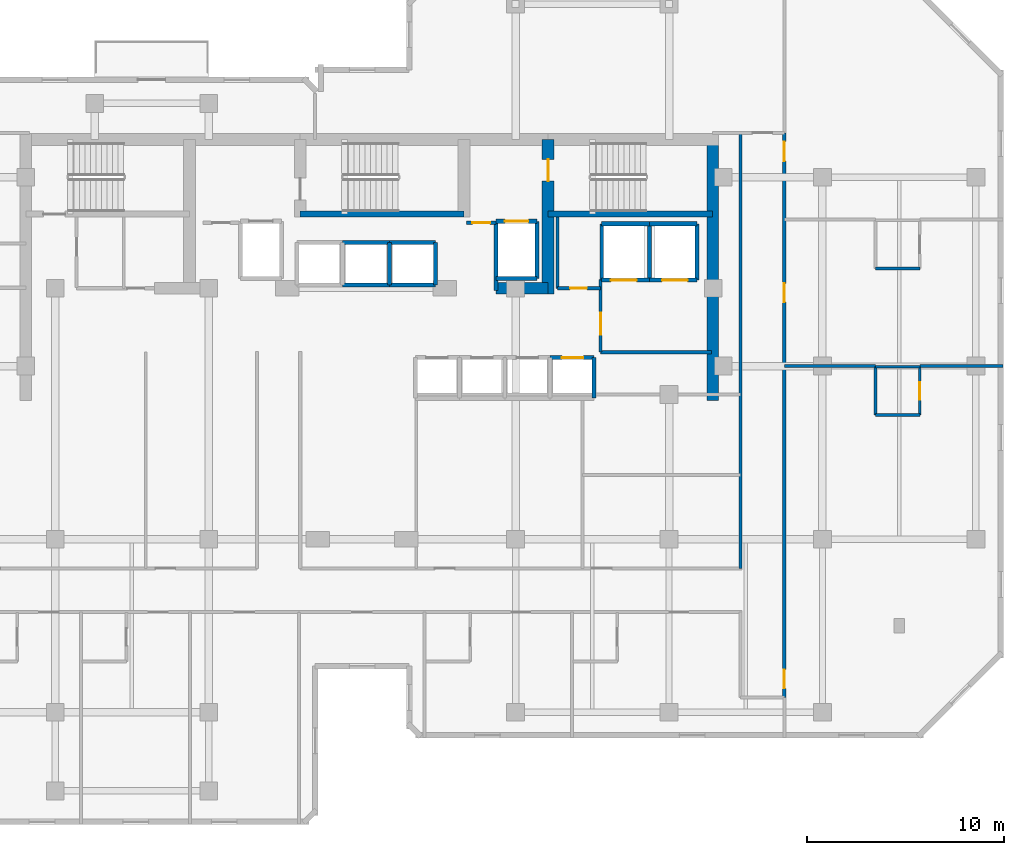
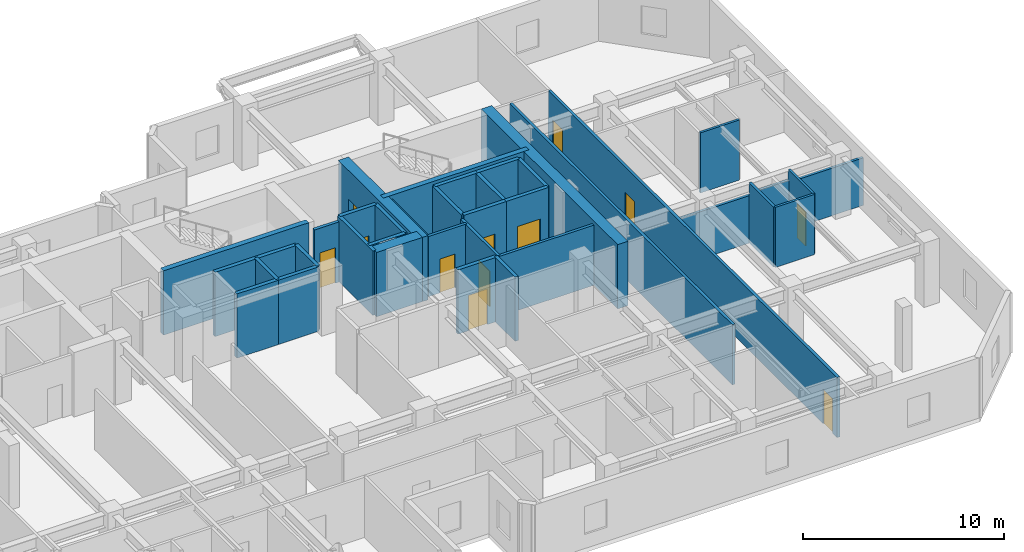
# One storey, part 7 of 10: 38 walls, 12 doors, 12 openings.
"""IFC4 building model written with IfcOpenShell, lengths in metres."""

from ifc_helpers import new_model, si_unit, direction, frame, frame_2d, origin, place, context, subcontext, project, spatial, rectangle, extrude, material, layer, layer_set, type_object, element, fill, save


model = new_model("IFC4")

# Units and contexts
model_context = context("Model", 3, precision=1e-05, world=origin(), true_north=direction((0.0, 1.0)))
body_context = subcontext(model_context, "Body", "Model", "MODEL_VIEW")
ifc_project = project(units=[si_unit("LENGTHUNIT", "METRE"), si_unit("AREAUNIT", "SQUARE_METRE"), si_unit("VOLUMEUNIT", "CUBIC_METRE"), si_unit("PLANEANGLEUNIT", "RADIAN"), si_unit("MASSUNIT", "GRAM", prefix="KILO")], contexts=[model_context])

# Site, building, storey
site_placement = place(None, origin())
site = spatial("IfcSite", under=ifc_project, at=site_placement, CompositionType="ELEMENT")
building_placement = place(site_placement, origin())
building = spatial("IfcBuilding", under=site, at=building_placement, Name="Kestravale Grand Hotel", CompositionType="ELEMENT")
storey_placement = place(building_placement, frame((0.0, 0.0, 216.300048828125)))
storey = spatial("IfcBuildingStorey", under=building, at=storey_placement, Name="L54", CompositionType="ELEMENT", Elevation=216.300048828125)

# Walls
ifc_material_1 = material(Name="Concrete f'c 50 MPa", Category="concrete")
ifc_layer_1 = layer(ifc_material_1, 0.60009765625)
ifc_layer_set_1 = layer_set([ifc_layer_1], Name="EW-CORE-600")
wall_type_1 = type_object("IfcWallType", Name="EW-CORE-600", PredefinedType="SHEAR", material=ifc_layer_set_1)
wall_1_placement = place(storey_placement, frame((56.820068359375, 27.050048828125, 0.0), z_axis=(0.0, 0.0, 1.0), x_axis=(0.0, 1.0, 0.0)))
element("IfcWall", 1, at=wall_1_placement, inside=storey, type_object=wall_type_1, Name="L54 core shear wall E1", PredefinedType="SHEAR", context=body_context, shape_type="SweptSolid", body=[
    extrude(rectangle(XDim=13.570068359375, YDim=0.60009765625, at=frame_2d((6.78515625, 0.0))), origin(), (0.0, 0.0, 1.0), 3.89990234375),
])
wall_2_placement = place(storey_placement, frame((45.81005859375, 32.75, 0.0), z_axis=(0.0, 0.0, 1.0), x_axis=(1.0, 0.0, 0.0)))
element("IfcWall", 2, at=wall_2_placement, inside=storey, type_object=wall_type_1, Name="L54 core shear wall S2", PredefinedType="SHEAR", context=body_context, shape_type="SweptSolid", body=[
    extrude(rectangle(XDim=2.639892578125, YDim=0.60009765625, at=frame_2d((1.31982421875, 0.0))), origin(), (0.0, 0.0, 1.0), 3.89990234375),
])

# Wall, opening, door
wall_3_placement = place(storey_placement, frame((48.449951171875, 32.449951171875, 0.0), z_axis=(0.0, 0.0, 1.0), x_axis=(0.0, 1.0, 0.0)))
wall_3 = element("IfcWall", 3, at=wall_3_placement, inside=storey, type_object=wall_type_1, Name="L54 core shear wall X4", PredefinedType="SHEAR", context=body_context, shape_type="SweptSolid", body=[
    extrude(rectangle(XDim=7.8701171875, YDim=0.60009765625, at=frame_2d((3.93505859375, 0.0))), origin(), (0.0, 0.0, 1.0), 3.89990234375),
])
opening_1_placement = place(wall_3_placement, frame((5.75, 0.0, 0.0)))
opening_1 = element("IfcOpeningElement", 4, at=opening_1_placement, cuts=wall_3, Name="Opening D-ST-1100", PredefinedType="OPENING", context=body_context, shape_type="SweptSolid", body=[
    extrude(rectangle(XDim=1.10009765625, YDim=2.14990234375, at=frame_2d((0.550048828125, 1.074951171875))), frame((0.0, 0.31005859375, 0.0), z_axis=(0.0, -1.0, 0.0), x_axis=(1.0, 0.0, 0.0)), (0.0, 0.0, 1.0), 0.6201171875),
])
ifc_material_2 = material(Name="Galvanised 90-minute fire-rated steel stair door", Category="steel")
door_type_1 = type_object("IfcDoorType", Name="D-ST-1100", OperationType="NOTDEFINED", PredefinedType="DOOR", material=ifc_material_2)
door_1_placement = place(opening_1_placement, origin())
door_1 = element("IfcDoor", 5, at=door_1_placement, inside=storey, type_object=door_type_1, Name="L54 Stair ST-3 FSAE fire door", OperationType="SINGLE_SWING_RIGHT", OverallHeight=2.14990234375, OverallWidth=1.10009765625, PredefinedType="DOOR", context=body_context, shape_type="SweptSolid", body=[
    extrude(rectangle(XDim=1.10009765625, YDim=2.14990234375, at=frame_2d((0.550048828125, 1.074951171875))), frame((0.0, 0.02490234375, 0.0), z_axis=(0.0, -1.0, 0.0), x_axis=(1.0, 0.0, 0.0)), (0.0, 0.0, 1.0), 0.050048828125),
])
fill(opening_1, door_1)

# Walls
ifc_material_3 = material(Name="Concrete f'c 45 MPa", Category="concrete")
ifc_layer_2 = layer(ifc_material_3, 0.300048828125)
ifc_layer_set_2 = layer_set([ifc_layer_2], Name="EW-STAIR-300")
wall_type_2 = type_object("IfcWallType", Name="EW-STAIR-300", PredefinedType="SHEAR", material=ifc_layer_set_2)
wall_4_placement = place(storey_placement, frame((35.85009765625, 36.52001953125, 0.0), z_axis=(0.0, 0.0, 1.0), x_axis=(1.0, 0.0, 0.0)))
element("IfcWall", 6, at=wall_4_placement, inside=storey, type_object=wall_type_2, Name="L54 stair enclosure shear wall SST2", PredefinedType="SHEAR", context=body_context, shape_type="SweptSolid", body=[
    extrude(rectangle(XDim=8.329833984375, YDim=0.300048828125, at=frame_2d((4.1650390625, 0.0))), origin(), (0.0, 0.0, 1.0), 3.89990234375),
])
wall_5_placement = place(storey_placement, frame((48.449951171875, 36.52001953125, 0.0), z_axis=(0.0, 0.0, 1.0), x_axis=(1.0, 0.0, 0.0)))
element("IfcWall", 7, at=wall_5_placement, inside=storey, type_object=wall_type_2, Name="L54 stair enclosure shear wall SST3", PredefinedType="SHEAR", context=body_context, shape_type="SweptSolid", body=[
    extrude(rectangle(XDim=8.3701171875, YDim=0.300048828125, at=frame_2d((4.18505859375, 0.0))), origin(), (0.0, 0.0, 1.0), 3.89990234375),
])

# Wall, opening, door
ifc_material_4 = material(Name="Acoustic fire-rated gypsum board partition", Category="other")
ifc_layer_3 = layer(ifc_material_4, 0.159912109375)
ifc_layer_set_3 = layer_set([ifc_layer_3], Name="IW-CORR-160")
wall_type_3 = type_object("IfcWallType", Name="IW-CORR-160", PredefinedType="PARTITIONING", material=ifc_layer_set_3)
wall_6_placement = place(storey_placement, frame((51.1201171875, 29.5, 0.0), z_axis=(0.0, 0.0, 1.0), x_axis=(0.0, 1.0, 0.0)))
wall_6 = element("IfcWall", 8, at=wall_6_placement, inside=storey, type_object=wall_type_3, Name="W-L54-SVCLOB-W", PredefinedType="PARTITIONING", context=body_context, shape_type="SweptSolid", body=[
    extrude(rectangle(XDim=3.699951171875, YDim=0.159912109375, at=frame_2d((1.85009765625, 0.0))), origin(), (0.0, 0.0, 1.0), 3.64990234375),
])
opening_2_placement = place(wall_6_placement, frame((0.89990234375, 0.0, 0.0)))
opening_2 = element("IfcOpeningElement", 9, at=opening_2_placement, cuts=wall_6, Name="Opening D-CORR-1100", PredefinedType="OPENING", context=body_context, shape_type="SweptSolid", body=[
    extrude(rectangle(XDim=1.10009765625, YDim=2.14990234375, at=frame_2d((0.550048828125, 1.074951171875))), frame((0.0, 0.08984375, 0.0), z_axis=(0.0, -1.0, 0.0), x_axis=(1.0, 0.0, 0.0)), (0.0, 0.0, 1.0), 0.179931640625),
])
ifc_material_5 = material(Name="Single-leaf service vestibule fire door", Category="steel")
door_type_2 = type_object("IfcDoorType", Name="D-CORR-1100", OperationType="NOTDEFINED", PredefinedType="DOOR", material=ifc_material_5)
door_2_placement = place(opening_2_placement, origin())
door_2 = element("IfcDoor", 10, at=door_2_placement, inside=storey, type_object=door_type_2, Name="L54 service lift lobby door", OperationType="SINGLE_SWING_LEFT", OverallHeight=2.14990234375, OverallWidth=1.10009765625, PredefinedType="DOOR", context=body_context, shape_type="SweptSolid", body=[
    extrude(rectangle(XDim=1.10009765625, YDim=2.14990234375, at=frame_2d((0.550048828125, 1.074951171875))), frame((0.0, 0.02490234375, 0.0), z_axis=(0.0, -1.0, 0.0), x_axis=(1.0, 0.0, 0.0)), (0.0, 0.0, 1.0), 0.050048828125),
])
fill(opening_2, door_2)

# Wall
wall_7_placement = place(storey_placement, frame((51.1201171875, 29.5, 0.0), z_axis=(0.0, 0.0, 1.0), x_axis=(1.0, 0.0, 0.0)))
element("IfcWall", 11, at=wall_7_placement, inside=storey, type_object=wall_type_3, Name="L54 service lift lobby wall", PredefinedType="PARTITIONING", context=body_context, shape_type="SweptSolid", body=[
    extrude(rectangle(XDim=5.6298828125, YDim=0.159912109375, at=frame_2d((2.81494140625, 0.0))), origin(), (0.0, 0.0, 1.0), 3.64990234375),
])

# Wall, opening, door
wall_8_placement = place(storey_placement, frame((48.919921875, 32.75, 0.0), z_axis=(0.0, 0.0, 1.0), x_axis=(1.0, 0.0, 0.0)))
wall_8 = element("IfcWall", 12, at=wall_8_placement, inside=storey, type_object=wall_type_3, Name="W-L54-CES", PredefinedType="PARTITIONING", context=body_context, shape_type="SweptSolid", body=[
    extrude(rectangle(XDim=2.2001953125, YDim=0.159912109375, at=frame_2d((1.10009765625, 0.0))), origin(), (0.0, 0.0, 1.0), 3.64990234375),
])
opening_3_placement = place(wall_8_placement, frame((0.64990234375, 0.0, 0.0)))
opening_3 = element("IfcOpeningElement", 13, at=opening_3_placement, cuts=wall_8, Name="Opening D-SH-860", PredefinedType="OPENING", context=body_context, shape_type="SweptSolid", body=[
    extrude(rectangle(XDim=0.860107421875, YDim=2.050048828125, at=frame_2d((0.43017578125, 1.02490234375))), frame((0.0, 0.08984375, 0.0), z_axis=(0.0, -1.0, 0.0), x_axis=(1.0, 0.0, 0.0)), (0.0, 0.0, 1.0), 0.179931640625),
])
ifc_material_6 = material(Name="Galvanised 90-minute riser fire door", Category="steel")
door_type_3 = type_object("IfcDoorType", Name="D-SH-860", OperationType="NOTDEFINED", PredefinedType="DOOR", material=ifc_material_6)
door_3_placement = place(opening_3_placement, origin())
door_3 = element("IfcDoor", 14, at=door_3_placement, inside=storey, type_object=door_type_3, Name="L54 CSTO1 door", OperationType="SINGLE_SWING_RIGHT", OverallHeight=2.050048828125, OverallWidth=0.860107421875, PredefinedType="DOOR", context=body_context, shape_type="SweptSolid", body=[
    extrude(rectangle(XDim=0.860107421875, YDim=2.050048828125, at=frame_2d((0.43017578125, 1.02490234375))), frame((0.0, 0.02490234375, 0.0), z_axis=(0.0, -1.0, 0.0), x_axis=(1.0, 0.0, 0.0)), (0.0, 0.0, 1.0), 0.050048828125),
])
fill(opening_3, door_3)

# Wall, openings, doors
wall_9_placement = place(storey_placement, frame((60.4599609375, 11.949951171875, 0.0), z_axis=(0.0, 0.0, 1.0), x_axis=(0.0, 1.0, 0.0)))
wall_9 = element("IfcWall", 15, at=wall_9_placement, inside=storey, type_object=wall_type_3, Name="W-L54-SE-E", PredefinedType="PARTITIONING", context=body_context, shape_type="SweptSolid", body=[
    extrude(rectangle(XDim=28.699951171875, YDim=0.159912109375, at=frame_2d((14.35009765625, 0.0))), origin(), (0.0, 0.0, 1.0), 3.64990234375),
])
opening_4_placement = place(wall_9_placement, frame((0.4599609375, 0.0, 0.0)))
opening_4 = element("IfcOpeningElement", 16, at=opening_4_placement, cuts=wall_9, Name="Opening D-GUEST-950", PredefinedType="OPENING", context=body_context, shape_type="SweptSolid", body=[
    extrude(rectangle(XDim=0.949951171875, YDim=2.10009765625, at=frame_2d((0.47509765625, 1.050048828125))), frame((0.0, 0.08984375, 0.0), z_axis=(0.0, -1.0, 0.0), x_axis=(1.0, 0.0, 0.0)), (0.0, 0.0, 1.0), 0.179931640625),
])
opening_5_placement = place(wall_9_placement, frame((20.10009765625, 0.0, 0.0)))
opening_5 = element("IfcOpeningElement", 17, at=opening_5_placement, cuts=wall_9, Name="Opening D-GUEST-950", PredefinedType="OPENING", context=body_context, shape_type="SweptSolid", body=[
    extrude(rectangle(XDim=0.949951171875, YDim=2.10009765625, at=frame_2d((0.47509765625, 1.050048828125))), frame((0.0, 0.08984375, 0.0), z_axis=(0.0, -1.0, 0.0), x_axis=(1.0, 0.0, 0.0)), (0.0, 0.0, 1.0), 0.179931640625),
])
opening_6_placement = place(wall_9_placement, frame((27.260009765625, 0.0, 0.0)))
opening_6 = element("IfcOpeningElement", 18, at=opening_6_placement, cuts=wall_9, Name="Opening D-GUEST-1000", PredefinedType="OPENING", context=body_context, shape_type="SweptSolid", body=[
    extrude(rectangle(XDim=1.0, YDim=2.14990234375, at=frame_2d((0.5, 1.074951171875))), frame((0.0, 0.08984375, 0.0), z_axis=(0.0, -1.0, 0.0), x_axis=(1.0, 0.0, 0.0)), (0.0, 0.0, 1.0), 0.179931640625),
])
ifc_material_7 = material(Name="Accessible walnut veneer hotel entrance fire door", Category="wood")
door_type_4 = type_object("IfcDoorType", Name="D-GUEST-1000", OperationType="NOTDEFINED", PredefinedType="DOOR", material=ifc_material_7)
door_4_placement = place(opening_6_placement, origin())
door_4 = element("IfcDoor", 19, at=door_4_placement, inside=storey, type_object=door_type_4, Name="D-L54-AMEW", OperationType="SINGLE_SWING_RIGHT", OverallHeight=2.14990234375, OverallWidth=1.0, PredefinedType="DOOR", context=body_context, shape_type="SweptSolid", body=[
    extrude(rectangle(XDim=1.0, YDim=2.14990234375, at=frame_2d((0.5, 1.074951171875))), frame((0.0, 0.02490234375, 0.0), z_axis=(0.0, -1.0, 0.0), x_axis=(1.0, 0.0, 0.0)), (0.0, 0.0, 1.0), 0.050048828125),
])
fill(opening_6, door_4)
ifc_material_8 = material(Name="Walnut veneer hotel guestroom entrance fire door", Category="wood")
door_type_5 = type_object("IfcDoorType", Name="D-GUEST-950", OperationType="NOTDEFINED", PredefinedType="DOOR", material=ifc_material_8)
door_5_placement = place(opening_4_placement, origin())
door_5 = element("IfcDoor", 20, at=door_5_placement, inside=storey, type_object=door_type_5, Name="D-L54-U09-ENT", OperationType="SINGLE_SWING_LEFT", OverallHeight=2.10009765625, OverallWidth=0.949951171875, PredefinedType="DOOR", context=body_context, shape_type="SweptSolid", body=[
    extrude(rectangle(XDim=0.949951171875, YDim=2.10009765625, at=frame_2d((0.47509765625, 1.050048828125))), frame((0.0, 0.02490234375, 0.0), z_axis=(0.0, -1.0, 0.0), x_axis=(1.0, 0.0, 0.0)), (0.0, 0.0, 1.0), 0.050048828125),
])
fill(opening_4, door_5)
door_6_placement = place(opening_5_placement, origin())
door_6 = element("IfcDoor", 21, at=door_6_placement, inside=storey, type_object=door_type_5, Name="D-L54-U10-ENT", OperationType="SINGLE_SWING_LEFT", OverallHeight=2.10009765625, OverallWidth=0.949951171875, PredefinedType="DOOR", context=body_context, shape_type="SweptSolid", body=[
    extrude(rectangle(XDim=0.949951171875, YDim=2.10009765625, at=frame_2d((0.47509765625, 1.050048828125))), frame((0.0, 0.02490234375, 0.0), z_axis=(0.0, -1.0, 0.0), x_axis=(1.0, 0.0, 0.0)), (0.0, 0.0, 1.0), 0.050048828125),
])
fill(opening_5, door_6)

# Wall
wall_10_placement = place(storey_placement, frame((58.239990234375, 18.510009765625, 0.0), z_axis=(0.0, 0.0, 1.0), x_axis=(0.0, 1.0, 0.0)))
element("IfcWall", 22, at=wall_10_placement, inside=storey, type_object=wall_type_3, Name="W-L54-SE-WU", PredefinedType="PARTITIONING", context=body_context, shape_type="SweptSolid", body=[
    extrude(rectangle(XDim=22.139892578125, YDim=0.159912109375, at=frame_2d((11.06982421875, 0.0))), origin(), (0.0, 0.0, 1.0), 3.64990234375),
])

# Wall, opening, door
ifc_material_9 = material(Name="Fire-rated gypsum board on steel studs with mineral wool", Category="steel")
ifc_layer_4 = layer(ifc_material_9, 0.179931640625)
ifc_layer_set_4 = layer_set([ifc_layer_4], Name="IW-FSAE-180")
wall_type_4 = type_object("IfcWallType", Name="IW-FSAE-180", PredefinedType="PARTITIONING", material=ifc_layer_set_4)
wall_11_placement = place(storey_placement, frame((44.300048828125, 36.080078125, 0.0), z_axis=(0.0, 0.0, 1.0), x_axis=(1.0, 0.0, 0.0)))
wall_11 = element("IfcWall", 23, at=wall_11_placement, inside=storey, type_object=wall_type_4, Name="L54 FSAE Lobby 2 smoke barrier", PredefinedType="PARTITIONING", context=body_context, shape_type="SweptSolid", body=[
    extrude(rectangle(XDim=1.5, YDim=0.179931640625, at=frame_2d((0.75, 0.0))), origin(), (0.0, 0.0, 1.0), 3.64990234375),
])
opening_7_placement = place(wall_11_placement, frame((0.300048828125, 0.0, 0.0)))
opening_7 = element("IfcOpeningElement", 24, at=opening_7_placement, cuts=wall_11, Name="Opening D-FSAE-1000", PredefinedType="OPENING", context=body_context, shape_type="SweptSolid", body=[
    extrude(rectangle(XDim=0.89990234375, YDim=2.14990234375, at=frame_2d((0.449951171875, 1.074951171875))), frame((0.0, 0.099853515625, 0.0), z_axis=(0.0, -1.0, 0.0), x_axis=(1.0, 0.0, 0.0)), (0.0, 0.0, 1.0), 0.199951171875),
])
ifc_material_10 = material(Name="Smoke-gasketed FSAE lobby fire door", Category="steel")
door_type_6 = type_object("IfcDoorType", Name="D-FSAE-1000", OperationType="NOTDEFINED", PredefinedType="DOOR", material=ifc_material_10)
door_7_placement = place(opening_7_placement, origin())
door_7 = element("IfcDoor", 25, at=door_7_placement, inside=storey, type_object=door_type_6, Name="L54 FSAE Lobby 2 fire door", OperationType="SINGLE_SWING_LEFT", OverallHeight=2.14990234375, OverallWidth=0.89990234375, PredefinedType="DOOR", context=body_context, shape_type="SweptSolid", body=[
    extrude(rectangle(XDim=0.89990234375, YDim=2.14990234375, at=frame_2d((0.449951171875, 1.074951171875))), frame((0.0, 0.02490234375, 0.0), z_axis=(0.0, -1.0, 0.0), x_axis=(1.0, 0.0, 0.0)), (0.0, 0.0, 1.0), 0.050048828125),
])
fill(opening_7, door_7)

# Wall
ifc_material_11 = material(Name="Moisture-resistant tile-backer plumbing chase wall", Category="other")
ifc_layer_5 = layer(ifc_material_11, 0.139892578125)
ifc_layer_set_5 = layer_set([ifc_layer_5], Name="IW-PLB-140")
wall_type_5 = type_object("IfcWallType", Name="IW-PLB-140", PredefinedType="PLUMBINGWALL", material=ifc_layer_set_5)
wall_12_placement = place(storey_placement, frame((65.10009765625, 26.31005859375, 0.0), z_axis=(0.0, 0.0, 1.0), x_axis=(0.0, 1.0, 0.0)))
element("IfcWall", 26, at=wall_12_placement, inside=storey, type_object=wall_type_5, Name="W-L54-U09-BW", PredefinedType="PLUMBINGWALL", context=body_context, shape_type="SweptSolid", body=[
    extrude(rectangle(XDim=2.449951171875, YDim=0.139892578125, at=frame_2d((1.22509765625, 0.0))), origin(), (0.0, 0.0, 1.0), 3.64990234375),
])

# Wall, opening, door
wall_13_placement = place(storey_placement, frame((67.35009765625, 26.31005859375, 0.0), z_axis=(0.0, 0.0, 1.0), x_axis=(0.0, 1.0, 0.0)))
wall_13 = element("IfcWall", 27, at=wall_13_placement, inside=storey, type_object=wall_type_5, Name="W-L54-U09-BE", PredefinedType="PLUMBINGWALL", context=body_context, shape_type="SweptSolid", body=[
    extrude(rectangle(XDim=2.449951171875, YDim=0.139892578125, at=frame_2d((1.22509765625, 0.0))), origin(), (0.0, 0.0, 1.0), 3.64990234375),
])
opening_8_placement = place(wall_13_placement, frame((0.784912109375, 0.0, 0.0)))
opening_8 = element("IfcOpeningElement", 28, at=opening_8_placement, cuts=wall_13, Name="Opening D-BATH-880", PredefinedType="OPENING", context=body_context, shape_type="SweptSolid", body=[
    extrude(rectangle(XDim=0.8798828125, YDim=2.050048828125, at=frame_2d((0.43994140625, 1.02490234375))), frame((0.0, 0.079833984375, 0.0), z_axis=(0.0, -1.0, 0.0), x_axis=(1.0, 0.0, 0.0)), (0.0, 0.0, 1.0), 0.159912109375),
])
ifc_material_12 = material(Name="Moisture-sealed walnut en-suite bathroom door", Category="wood")
door_type_7 = type_object("IfcDoorType", Name="D-BATH-880", OperationType="NOTDEFINED", PredefinedType="DOOR", material=ifc_material_12)
door_8_placement = place(opening_8_placement, origin())
door_8 = element("IfcDoor", 29, at=door_8_placement, inside=storey, type_object=door_type_7, Name="D-L54-U09-BATH", OperationType="SINGLE_SWING_RIGHT", OverallHeight=2.050048828125, OverallWidth=0.8798828125, PredefinedType="DOOR", context=body_context, shape_type="SweptSolid", body=[
    extrude(rectangle(XDim=0.8798828125, YDim=2.050048828125, at=frame_2d((0.43994140625, 1.02490234375))), frame((0.0, 0.02490234375, 0.0), z_axis=(0.0, -1.0, 0.0), x_axis=(1.0, 0.0, 0.0)), (0.0, 0.0, 1.0), 0.050048828125),
])
fill(opening_8, door_8)

# Walls
wall_14_placement = place(storey_placement, frame((65.10009765625, 26.31005859375, 0.0), z_axis=(0.0, 0.0, 1.0), x_axis=(1.0, 0.0, 0.0)))
element("IfcWall", 30, at=wall_14_placement, inside=storey, type_object=wall_type_5, Name="W-L54-U09-BS", PredefinedType="PLUMBINGWALL", context=body_context, shape_type="SweptSolid", body=[
    extrude(rectangle(XDim=2.25, YDim=0.139892578125, at=frame_2d((1.125, 0.0))), origin(), (0.0, 0.0, 1.0), 3.64990234375),
])
wall_15_placement = place(storey_placement, frame((65.10009765625, 28.760009765625, 0.0), z_axis=(0.0, 0.0, 1.0), x_axis=(1.0, 0.0, 0.0)))
element("IfcWall", 31, at=wall_15_placement, inside=storey, type_object=wall_type_5, Name="W-L54-U09-BN", PredefinedType="PLUMBINGWALL", context=body_context, shape_type="SweptSolid", body=[
    extrude(rectangle(XDim=2.25, YDim=0.139892578125, at=frame_2d((1.125, 0.0))), origin(), (0.0, 0.0, 1.0), 3.037841796875),
])
wall_16_placement = place(storey_placement, frame((65.10009765625, 33.760009765625, 0.0), z_axis=(0.0, 0.0, 1.0), x_axis=(1.0, 0.0, 0.0)))
element("IfcWall", 32, at=wall_16_placement, inside=storey, type_object=wall_type_5, Name="W-L54-U10-BS", PredefinedType="PLUMBINGWALL", context=body_context, shape_type="SweptSolid", body=[
    extrude(rectangle(XDim=2.25, YDim=0.139892578125, at=frame_2d((1.125, 0.0))), origin(), (0.0, 0.0, 1.0), 3.64990234375),
])
ifc_material_13 = material(Name="Concrete f'c 45 MPa", Category="concrete")
ifc_layer_6 = layer(ifc_material_13, 0.199951171875)
ifc_layer_set_6 = layer_set([ifc_layer_6], Name="IW-SHAFT-200")
wall_type_6 = type_object("IfcWallType", Name="IW-SHAFT-200", PredefinedType="SHEAR", material=ifc_layer_set_6)
wall_17_placement = place(storey_placement, frame((50.794921875, 27.169921875, 0.0), z_axis=(0.0, 0.0, 1.0), x_axis=(0.0, 1.0, 0.0)))
element("IfcWall", 33, at=wall_17_placement, inside=storey, type_object=wall_type_6, Name="L54 PL-M4 east shaft wall", PredefinedType="SHEAR", context=body_context, shape_type="SweptSolid", body=[
    extrude(rectangle(XDim=2.06005859375, YDim=0.199951171875, at=frame_2d((1.030029296875, 0.0))), origin(), (0.0, 0.0, 1.0), 3.89990234375),
])
for number, where, z_axis, x_axis, name in (
    (34, (40.39990234375, 32.919921875, 0.0), (0.0, 0.0, 1.0), (0.0, 1.0, 0.0), "L54 PL-X3 west shaft wall"),
    (35, (42.719970703125, 32.919921875, 0.0), (0.0, 0.0, 1.0), (0.0, 1.0, 0.0), "L54 PL-X3 east shaft wall"),
):
    element("IfcWall", number, at=place(storey_placement, frame(where, z_axis=z_axis, x_axis=x_axis)), inside=storey, type_object=wall_type_6, Name=name, PredefinedType="SHEAR", context=body_context, shape_type="SweptSolid", body=[
        extrude(rectangle(XDim=2.16015625, YDim=0.199951171875, at=frame_2d((1.080078125, 0.0))), origin(), (0.0, 0.0, 1.0), 3.89990234375),
    ])
for number, where, z_axis, x_axis, name in (
    (36, (51.179931640625, 33.169921875, 0.0), (0.0, 0.0, 1.0), (0.0, 1.0, 0.0), "L54 SL-1 west shaft wall"),
    (37, (53.60009765625, 33.169921875, 0.0), (0.0, 0.0, 1.0), (0.0, 1.0, 0.0), "L54 SL-2 west shaft wall"),
    (38, (56.02001953125, 33.169921875, 0.0), (0.0, 0.0, 1.0), (0.0, 1.0, 0.0), "L54 SL-2 east shaft wall"),
):
    element("IfcWall", number, at=place(storey_placement, frame(where, z_axis=z_axis, x_axis=x_axis)), inside=storey, type_object=wall_type_6, Name=name, PredefinedType="SHEAR", context=body_context, shape_type="SweptSolid", body=[
        extrude(rectangle(XDim=2.860107421875, YDim=0.199951171875, at=frame_2d((1.43017578125, 0.0))), origin(), (0.0, 0.0, 1.0), 3.89990234375),
    ])
wall_18_placement = place(storey_placement, frame((45.804931640625, 32.64990234375, 0.0), z_axis=(0.0, 0.0, 1.0), x_axis=(0.0, 1.0, 0.0)))
element("IfcWall", 39, at=wall_18_placement, inside=storey, type_object=wall_type_6, Name="L54 FL-2 west shaft wall", PredefinedType="SHEAR", context=body_context, shape_type="SweptSolid", body=[
    extrude(rectangle(XDim=3.505126953125, YDim=0.199951171875, at=frame_2d((1.75244140625, 0.0))), origin(), (0.0, 0.0, 1.0), 3.89990234375),
])
wall_19_placement = place(storey_placement, frame((47.89501953125, 33.2451171875, 0.0), z_axis=(0.0, 0.0, 1.0), x_axis=(0.0, 1.0, 0.0)))
element("IfcWall", 40, at=wall_19_placement, inside=storey, type_object=wall_type_6, Name="L54 FL-2 east shaft wall", PredefinedType="SHEAR", context=body_context, shape_type="SweptSolid", body=[
    extrude(rectangle(XDim=2.909912109375, YDim=0.199951171875, at=frame_2d((1.455078125, 0.0))), origin(), (0.0, 0.0, 1.0), 3.89990234375),
])

# Wall, opening, door
ifc_material_14 = material(Name="Concrete f'c 45 MPa", Category="concrete")
ifc_layer_7 = layer(ifc_material_14, 0.219970703125)
ifc_layer_set_7 = layer_set([ifc_layer_7], Name="IW-SHAFT-220")
wall_type_7 = type_object("IfcWallType", Name="IW-SHAFT-220", PredefinedType="SHEAR", material=ifc_layer_set_7)
wall_20_placement = place(storey_placement, frame((48.550048828125, 29.22998046875, 0.0), z_axis=(0.0, 0.0, 1.0), x_axis=(1.0, 0.0, 0.0)))
wall_20 = element("IfcWall", 41, at=wall_20_placement, inside=storey, type_object=wall_type_7, Name="L54 PL-M4 north shaft wall", PredefinedType="SHEAR", context=body_context, shape_type="SweptSolid", body=[
    extrude(rectangle(XDim=2.244873046875, YDim=0.219970703125, at=frame_2d((1.12255859375, 0.0))), origin(), (0.0, 0.0, 1.0), 3.89990234375),
])
opening_9_placement = place(wall_20_placement, frame((0.60009765625, 0.0, 0.0)))
opening_9 = element("IfcOpeningElement", 42, at=opening_9_placement, cuts=wall_20, Name="Opening LD-PAX-1100", PredefinedType="OPENING", context=body_context, shape_type="SweptSolid", body=[
    extrude(rectangle(XDim=1.10009765625, YDim=2.14990234375, at=frame_2d((0.550048828125, 1.074951171875))), frame((0.0, 0.119873046875, 0.0), z_axis=(0.0, -1.0, 0.0), x_axis=(1.0, 0.0, 0.0)), (0.0, 0.0, 1.0), 0.239990234375),
])
ifc_material_15 = material(Name="Champagne-bronze center-opening sliding elevator landing door", Category="steel")
door_type_8 = type_object("IfcDoorType", Name="LD-PAX-1100", OperationType="NOTDEFINED", PredefinedType="DOOR", material=ifc_material_15)
door_9_placement = place(opening_9_placement, origin())
door_9 = element("IfcDoor", 43, at=door_9_placement, inside=storey, type_object=door_type_8, Name="L54 PL-M4 elevator landing sliding door", OperationType="DOUBLE_DOOR_SLIDING", OverallHeight=2.14990234375, OverallWidth=1.10009765625, PredefinedType="DOOR", context=body_context, shape_type="SweptSolid", body=[
    extrude(rectangle(XDim=1.10009765625, YDim=2.14990234375, at=frame_2d((0.550048828125, 1.074951171875))), frame((0.0, 0.02490234375, 0.0), z_axis=(0.0, -1.0, 0.0), x_axis=(1.0, 0.0, 0.0)), (0.0, 0.0, 1.0), 0.050048828125),
])
fill(opening_9, door_9)

# Walls
for number, where, z_axis, x_axis, name in (
    (44, (38.0, 35.080078125, 0.0), (0.0, 0.0, 1.0), (1.0, 0.0, 0.0), "L54 PL-X2 north shaft wall"),
    (45, (38.0, 32.919921875, 0.0), (0.0, 0.0, 1.0), (1.0, 0.0, 0.0), "L54 PL-X2 south shaft wall"),
):
    element("IfcWall", number, at=place(storey_placement, frame(where, z_axis=z_axis, x_axis=x_axis)), inside=storey, type_object=wall_type_7, Name=name, PredefinedType="SHEAR", context=body_context, shape_type="SweptSolid", body=[
        extrude(rectangle(XDim=2.39990234375, YDim=0.219970703125, at=frame_2d((1.199951171875, 0.0))), origin(), (0.0, 0.0, 1.0), 3.89990234375),
    ])
for number, where, z_axis, x_axis, name in (
    (46, (40.39990234375, 35.080078125, 0.0), (0.0, 0.0, 1.0), (1.0, 0.0, 0.0), "L54 PL-X3 north shaft wall"),
    (47, (40.39990234375, 32.919921875, 0.0), (0.0, 0.0, 1.0), (1.0, 0.0, 0.0), "L54 PL-X3 south shaft wall"),
):
    element("IfcWall", number, at=place(storey_placement, frame(where, z_axis=z_axis, x_axis=x_axis)), inside=storey, type_object=wall_type_7, Name=name, PredefinedType="SHEAR", context=body_context, shape_type="SweptSolid", body=[
        extrude(rectangle(XDim=2.320068359375, YDim=0.219970703125, at=frame_2d((1.16015625, 0.0))), origin(), (0.0, 0.0, 1.0), 3.89990234375),
    ])
wall_21_placement = place(storey_placement, frame((51.179931640625, 36.030029296875, 0.0), z_axis=(0.0, 0.0, 1.0), x_axis=(1.0, 0.0, 0.0)))
element("IfcWall", 48, at=wall_21_placement, inside=storey, type_object=wall_type_7, Name="L54 SL-1 north shaft wall", PredefinedType="SHEAR", context=body_context, shape_type="SweptSolid", body=[
    extrude(rectangle(XDim=2.420166015625, YDim=0.219970703125, at=frame_2d((1.2099609375, 0.0))), origin(), (0.0, 0.0, 1.0), 3.89990234375),
])

# Wall, opening, door
wall_22_placement = place(storey_placement, frame((51.179931640625, 33.169921875, 0.0), z_axis=(0.0, 0.0, 1.0), x_axis=(1.0, 0.0, 0.0)))
wall_22 = element("IfcWall", 49, at=wall_22_placement, inside=storey, type_object=wall_type_7, Name="L54 SL-1 south shaft wall", PredefinedType="SHEAR", context=body_context, shape_type="SweptSolid", body=[
    extrude(rectangle(XDim=2.420166015625, YDim=0.219970703125, at=frame_2d((1.2099609375, 0.0))), origin(), (0.0, 0.0, 1.0), 3.89990234375),
])
opening_10_placement = place(wall_22_placement, frame((0.469970703125, 0.0, 0.0)))
opening_10 = element("IfcOpeningElement", 50, at=opening_10_placement, cuts=wall_22, Name="Opening LD-SVC-1300", PredefinedType="OPENING", context=body_context, shape_type="SweptSolid", body=[
    extrude(rectangle(XDim=1.300048828125, YDim=2.14990234375, at=frame_2d((0.64990234375, 1.074951171875))), frame((0.0, 0.119873046875, 0.0), z_axis=(0.0, -1.0, 0.0), x_axis=(1.0, 0.0, 0.0)), (0.0, 0.0, 1.0), 0.239990234375),
])
ifc_material_16 = material(Name="Heavy-duty service sliding elevator landing door", Category="steel")
door_type_9 = type_object("IfcDoorType", Name="LD-SVC-1300", OperationType="NOTDEFINED", PredefinedType="DOOR", material=ifc_material_16)
door_10_placement = place(opening_10_placement, origin())
door_10 = element("IfcDoor", 51, at=door_10_placement, inside=storey, type_object=door_type_9, Name="L54 SL-1 elevator landing sliding door", OperationType="DOUBLE_DOOR_SLIDING", OverallHeight=2.14990234375, OverallWidth=1.300048828125, PredefinedType="DOOR", context=body_context, shape_type="SweptSolid", body=[
    extrude(rectangle(XDim=1.300048828125, YDim=2.14990234375, at=frame_2d((0.64990234375, 1.074951171875))), frame((0.0, 0.02490234375, 0.0), z_axis=(0.0, -1.0, 0.0), x_axis=(1.0, 0.0, 0.0)), (0.0, 0.0, 1.0), 0.050048828125),
])
fill(opening_10, door_10)

# Wall
wall_23_placement = place(storey_placement, frame((53.60009765625, 36.030029296875, 0.0), z_axis=(0.0, 0.0, 1.0), x_axis=(1.0, 0.0, 0.0)))
element("IfcWall", 52, at=wall_23_placement, inside=storey, type_object=wall_type_7, Name="L54 SL-2 north shaft wall", PredefinedType="SHEAR", context=body_context, shape_type="SweptSolid", body=[
    extrude(rectangle(XDim=2.419921875, YDim=0.219970703125, at=frame_2d((1.2099609375, 0.0))), origin(), (0.0, 0.0, 1.0), 3.89990234375),
])

# Wall, opening, door
wall_24_placement = place(storey_placement, frame((53.60009765625, 33.169921875, 0.0), z_axis=(0.0, 0.0, 1.0), x_axis=(1.0, 0.0, 0.0)))
wall_24 = element("IfcWall", 53, at=wall_24_placement, inside=storey, type_object=wall_type_7, Name="L54 SL-2 south shaft wall", PredefinedType="SHEAR", context=body_context, shape_type="SweptSolid", body=[
    extrude(rectangle(XDim=2.419921875, YDim=0.219970703125, at=frame_2d((1.2099609375, 0.0))), origin(), (0.0, 0.0, 1.0), 3.89990234375),
])
opening_11_placement = place(wall_24_placement, frame((0.64990234375, 0.0, 0.0)))
opening_11 = element("IfcOpeningElement", 54, at=opening_11_placement, cuts=wall_24, Name="Opening LD-SVC-1300", PredefinedType="OPENING", context=body_context, shape_type="SweptSolid", body=[
    extrude(rectangle(XDim=1.300048828125, YDim=2.14990234375, at=frame_2d((0.64990234375, 1.074951171875))), frame((0.0, 0.119873046875, 0.0), z_axis=(0.0, -1.0, 0.0), x_axis=(1.0, 0.0, 0.0)), (0.0, 0.0, 1.0), 0.239990234375),
])
door_11_placement = place(opening_11_placement, origin())
door_11 = element("IfcDoor", 55, at=door_11_placement, inside=storey, type_object=door_type_9, Name="L54 SL-2 elevator landing sliding door", OperationType="DOUBLE_DOOR_SLIDING", OverallHeight=2.14990234375, OverallWidth=1.300048828125, PredefinedType="DOOR", context=body_context, shape_type="SweptSolid", body=[
    extrude(rectangle(XDim=1.300048828125, YDim=2.14990234375, at=frame_2d((0.64990234375, 1.074951171875))), frame((0.0, 0.02490234375, 0.0), z_axis=(0.0, -1.0, 0.0), x_axis=(1.0, 0.0, 0.0)), (0.0, 0.0, 1.0), 0.050048828125),
])
fill(opening_11, door_11)

wall_25_placement = place(storey_placement, frame((45.804931640625, 36.155029296875, 0.0), z_axis=(0.0, 0.0, 1.0), x_axis=(1.0, 0.0, 0.0)))
wall_25 = element("IfcWall", 56, at=wall_25_placement, inside=storey, type_object=wall_type_7, Name="L54 FL-2 north shaft wall", PredefinedType="SHEAR", context=body_context, shape_type="SweptSolid", body=[
    extrude(rectangle(XDim=2.090087890625, YDim=0.219970703125, at=frame_2d((1.044921875, 0.0))), origin(), (0.0, 0.0, 1.0), 3.89990234375),
])
opening_12_placement = place(wall_25_placement, frame((0.445068359375, 0.0, 0.0)))
opening_12 = element("IfcOpeningElement", 57, at=opening_12_placement, cuts=wall_25, Name="Opening LD-FSAE-1200", PredefinedType="OPENING", context=body_context, shape_type="SweptSolid", body=[
    extrude(rectangle(XDim=1.199951171875, YDim=2.14990234375, at=frame_2d((0.60009765625, 1.074951171875))), frame((0.0, 0.119873046875, 0.0), z_axis=(0.0, -1.0, 0.0), x_axis=(1.0, 0.0, 0.0)), (0.0, 0.0, 1.0), 0.239990234375),
])
ifc_material_17 = material(Name="Stainless fire-service sliding elevator landing door", Category="steel")
door_type_10 = type_object("IfcDoorType", Name="LD-FSAE-1200", OperationType="NOTDEFINED", PredefinedType="DOOR", material=ifc_material_17)
door_12_placement = place(opening_12_placement, origin())
door_12 = element("IfcDoor", 58, at=door_12_placement, inside=storey, type_object=door_type_10, Name="L54 FL-2 elevator landing sliding door", OperationType="DOUBLE_DOOR_SLIDING", OverallHeight=2.14990234375, OverallWidth=1.199951171875, PredefinedType="DOOR", context=body_context, shape_type="SweptSolid", body=[
    extrude(rectangle(XDim=1.199951171875, YDim=2.14990234375, at=frame_2d((0.60009765625, 1.074951171875))), frame((0.0, 0.02490234375, 0.0), z_axis=(0.0, -1.0, 0.0), x_axis=(1.0, 0.0, 0.0)), (0.0, 0.0, 1.0), 0.050048828125),
])
fill(opening_12, door_12)

# Walls
wall_26_placement = place(storey_placement, frame((45.804931640625, 33.2451171875, 0.0), z_axis=(0.0, 0.0, 1.0), x_axis=(1.0, 0.0, 0.0)))
element("IfcWall", 59, at=wall_26_placement, inside=storey, type_object=wall_type_7, Name="L54 FL-2 south shaft wall", PredefinedType="SHEAR", context=body_context, shape_type="SweptSolid", body=[
    extrude(rectangle(XDim=2.090087890625, YDim=0.219970703125, at=frame_2d((1.044921875, 0.0))), origin(), (0.0, 0.0, 1.0), 3.89990234375),
])
ifc_material_18 = material(Name="Double-stud STC 52 acoustic demising partition", Category="other")
ifc_layer_8 = layer(ifc_material_18, 0.14990234375)
ifc_layer_set_8 = layer_set([ifc_layer_8], Name="IW-UNIT-150")
wall_type_8 = type_object("IfcWallType", Name="IW-UNIT-150", PredefinedType="PARTITIONING", material=ifc_layer_set_8)
wall_27_placement = place(storey_placement, frame((48.919921875, 32.75, 0.0), z_axis=(0.0, 0.0, 1.0), x_axis=(0.0, 1.0, 0.0)))
element("IfcWall", 60, at=wall_27_placement, inside=storey, type_object=wall_type_8, Name="W-L54-CEW", PredefinedType="PARTITIONING", context=body_context, shape_type="SweptSolid", body=[
    extrude(rectangle(XDim=3.6201171875, YDim=0.14990234375, at=frame_2d((1.81005859375, 0.0))), origin(), (0.0, 0.0, 1.0), 3.64990234375),
])
wall_28_placement = place(storey_placement, frame((60.4599609375, 28.800048828125, 0.0), z_axis=(0.0, 0.0, 1.0), x_axis=(1.0, 0.0, 0.0)))
element("IfcWall", 61, at=wall_28_placement, inside=storey, type_object=wall_type_8, Name="W-L54-EW-1", PredefinedType="PARTITIONING", context=body_context, shape_type="SweptSolid", body=[
    extrude(rectangle(XDim=4.64013671875, YDim=0.14990234375, at=frame_2d((2.320068359375, 0.0))), origin(), (0.0, 0.0, 1.0), 2.8779296875),
])
wall_29_placement = place(storey_placement, frame((67.35009765625, 28.800048828125, 0.0), z_axis=(0.0, 0.0, 1.0), x_axis=(1.0, 0.0, 0.0)))
element("IfcWall", 62, at=wall_29_placement, inside=storey, type_object=wall_type_8, Name="W-L54-EW-1", PredefinedType="PARTITIONING", context=body_context, shape_type="SweptSolid", body=[
    extrude(rectangle(XDim=4.22998046875, YDim=0.14990234375, at=frame_2d((2.114990234375, 0.0))), origin(), (0.0, 0.0, 1.0), 2.8779296875),
])

save(model, "model.ifc")
